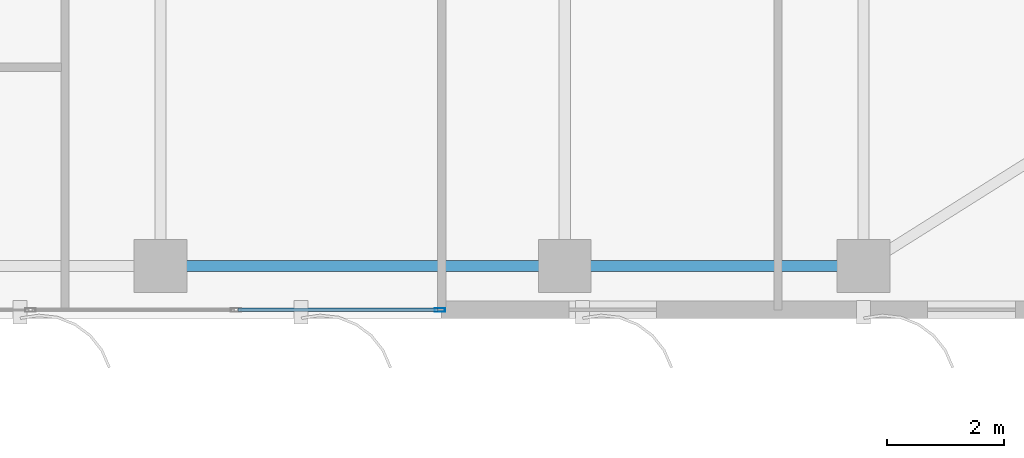
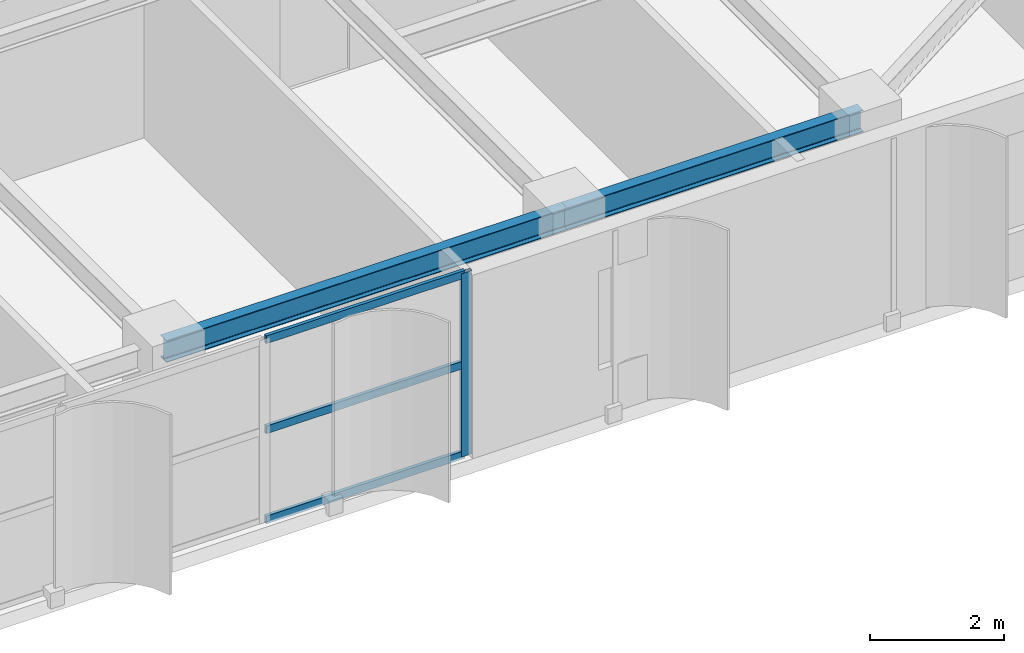
# One storey, part 3 of 22: 4 members, 2 beams, 1 element without a shape of its own.
"""IFC4 building model written with IfcOpenShell, lengths in metres."""

from ifc_helpers import new_model, si_unit, direction, frame, origin, origin_2d, place, context, subcontext, project, spatial, hollow_rectangle, i_section, extrude, source, transform, mapped, material, layer, layer_set, material_profile, profile_set, type_object, element, aggregate, save


model = new_model("IFC4")

# Units and contexts
model_context = context("Model", 3, precision=1e-05, world=origin(), true_north=direction((0.0, 1.0)))
body_context = subcontext(model_context, "Body", "Model", "MODEL_VIEW")
ifc_project = project(units=[si_unit("LENGTHUNIT", "METRE"), si_unit("AREAUNIT", "SQUARE_METRE"), si_unit("VOLUMEUNIT", "CUBIC_METRE"), si_unit("PLANEANGLEUNIT", "RADIAN"), si_unit("MASSUNIT", "GRAM", prefix="KILO")], contexts=[model_context])

# Site, building, storey
site_placement = place(None, origin())
site = spatial("IfcSite", under=ifc_project, at=site_placement, CompositionType="ELEMENT")
building_placement = place(site_placement, origin())
building = spatial("IfcBuilding", under=site, at=building_placement, Name="Khoralis Quay Care Tower", CompositionType="ELEMENT")
storey_placement = place(building_placement, frame((0.0, 0.0, 170.10009765625)))
storey = spatial("IfcBuildingStorey", under=building, at=storey_placement, Name="L44", CompositionType="ELEMENT", Elevation=170.10009765625)

# Beams
ifc_material_1 = material(Name="Steel S355", Category="steel")
ifc_material_profile_1 = material_profile(ifc_material_1, i_section(OverallWidth=0.179931640625, OverallDepth=0.39990234375, WebThickness=0.008544921875, FlangeThickness=0.013427734375, FilletRadius=0.02099609375, at=origin_2d()), Name="Steel S355")
ifc_profile_set_1 = profile_set([ifc_material_profile_1], Name="Steel S355")
beam_type = type_object("IfcBeamType", Name="BM-IPE400", PredefinedType="SPANDREL", material=ifc_profile_set_1)
shared_shape_1 = source(origin(), body_context, "Body", "SweptSolid", [
    extrude(i_section(OverallWidth=0.179931640625, OverallDepth=0.39990234375, WebThickness=0.008544921875, FlangeThickness=0.013427734375, FilletRadius=0.02099609375, at=origin_2d()), origin(), (0.0, 0.0, 1.0), 5.10009765625),
])
beam_1_placement = place(storey_placement, frame((30.89990234375, 0.89990234375, 3.139892578125), z_axis=(1.0, 0.0, 0.0), x_axis=(0.0, 1.0, 0.0)))
element("IfcBeam", 1, at=beam_1_placement, inside=storey, type_object=beam_type, Name="BM-TSP-L44-04", PredefinedType="SPANDREL", context=body_context, shape_type="MappedRepresentation", body=[
    mapped(shared_shape_1, transform((0.0, 0.0, 0.0), scale=1.0)),
])
shared_shape_2 = source(origin(), body_context, "Body", "SweptSolid", [
    extrude(i_section(OverallWidth=0.179931640625, OverallDepth=0.39990234375, WebThickness=0.008544921875, FlangeThickness=0.013427734375, FilletRadius=0.02099609375, at=origin_2d()), origin(), (0.0, 0.0, 1.0), 6.89990234375),
])
beam_2_placement = place(storey_placement, frame((24.0, 0.89990234375, 3.139892578125), z_axis=(1.0, 0.0, 0.0), x_axis=(0.0, 1.0, 0.0)))
element("IfcBeam", 2, at=beam_2_placement, inside=storey, type_object=beam_type, Name="BM-TSP-L44-03", PredefinedType="SPANDREL", context=body_context, shape_type="MappedRepresentation", body=[
    mapped(shared_shape_2, transform((0.0, 0.0, 0.0), scale=1.0)),
])

# Curtain wall, members
ifc_material_2 = material(Name="Pale anodised aluminium", Category="aluminium")
ifc_layer = layer(ifc_material_2, 0.159912109375)
ifc_layer_set = layer_set([ifc_layer], Name="Pale anodised aluminium")
curtain_wall_type = type_object("IfcCurtainWallType", Name="CW-SYS-Z3", PredefinedType="NOTDEFINED", material=ifc_layer_set)
curtain_wall_placement = place(storey_placement, origin())
curtain_wall = element("IfcCurtainWall", 3, at=curtain_wall_placement, inside=storey, type_object=curtain_wall_type, Name="L44 Unitised Curtain Wall CW-L44-P1-E0", PredefinedType="NOTDEFINED")
ifc_material_profile_2 = material_profile(ifc_material_2, hollow_rectangle(XDim=0.06494140625, YDim=0.179931640625, WallThickness=0.00390625, at=origin_2d()), Name="Pale anodised aluminium")
ifc_profile_set_2 = profile_set([ifc_material_profile_2], Name="Pale anodised aluminium")
member_type_1 = type_object("IfcMemberType", Name="CW-MUL-180", PredefinedType="MULLION", material=ifc_profile_set_2)
shared_shape_3 = source(origin(), body_context, "Body", "SweptSolid", [
    extrude(hollow_rectangle(XDim=0.06494140625, YDim=0.179931640625, WallThickness=0.00390625, at=origin_2d()), origin(), (0.0, 0.0, 1.0), 3.33984375),
])
member_1_placement = place(storey_placement, frame((28.77001953125, 0.14990234375, 0.0), z_axis=(0.0, 0.0, 1.0), x_axis=(0.0, 1.0, 0.0)))
member_1 = element("IfcMember", 4, at=member_1_placement, type_object=member_type_1, Name="CW3 mullion 4", PredefinedType="MULLION", context=body_context, shape_type="MappedRepresentation", body=[
    mapped(shared_shape_3, transform((0.0, 0.0, 0.0), scale=1.0)),
])
ifc_material_profile_3 = material_profile(ifc_material_2, hollow_rectangle(XDim=0.06005859375, YDim=0.139892578125, WallThickness=0.00390625, at=origin_2d()), Name="Pale anodised aluminium")
ifc_profile_set_3 = profile_set([ifc_material_profile_3], Name="Pale anodised aluminium")
member_type_2 = type_object("IfcMemberType", Name="CW-TRN-140", PredefinedType="USERDEFINED", material=ifc_profile_set_3)
shared_shape_4 = source(origin(), body_context, "Body", "SweptSolid", [
    extrude(hollow_rectangle(XDim=0.06005859375, YDim=0.139892578125, WallThickness=0.00390625, at=origin_2d()), origin(), (0.0, 0.0, 1.0), 3.42138671875),
])
member_2_placement = place(storey_placement, frame((25.318603515625, 0.14990234375, 0.02978515625), z_axis=(1.0, 0.0, 0.0), x_axis=(0.0, 1.0, 0.0)))
member_2 = element("IfcMember", 5, at=member_2_placement, type_object=member_type_2, Name="CW3 transom 3.1", ObjectType="TRANSOM", PredefinedType="USERDEFINED", context=body_context, shape_type="MappedRepresentation", body=[
    mapped(shared_shape_4, transform((0.0, 0.0, 0.0), scale=1.0)),
])
member_3_placement = place(storey_placement, frame((25.318603515625, 0.14990234375, 1.669921875), z_axis=(1.0, 0.0, 0.0), x_axis=(0.0, 1.0, 0.0)))
member_3 = element("IfcMember", 6, at=member_3_placement, type_object=member_type_2, Name="CW3 transom 3.2", ObjectType="TRANSOM", PredefinedType="USERDEFINED", context=body_context, shape_type="MappedRepresentation", body=[
    mapped(shared_shape_4, transform((0.0, 0.0, 0.0), scale=1.0)),
])
member_4_placement = place(storey_placement, frame((25.318603515625, 0.14990234375, 3.309814453125), z_axis=(1.0, 0.0, 0.0), x_axis=(0.0, 1.0, 0.0)))
member_4 = element("IfcMember", 7, at=member_4_placement, type_object=member_type_2, Name="CW3 transom 3.3", ObjectType="TRANSOM", PredefinedType="USERDEFINED", context=body_context, shape_type="MappedRepresentation", body=[
    mapped(shared_shape_4, transform((0.0, 0.0, 0.0), scale=1.0)),
])
aggregate(curtain_wall, [member_1, member_2, member_3, member_4])

save(model, "model.ifc")
